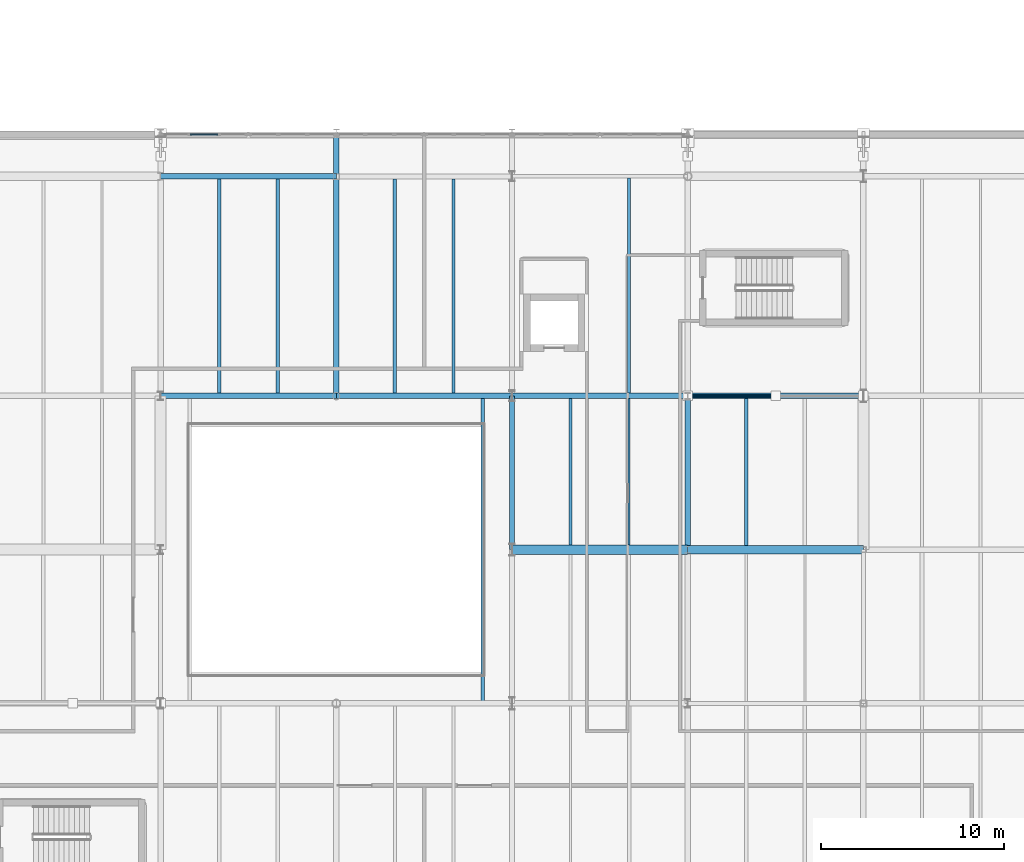
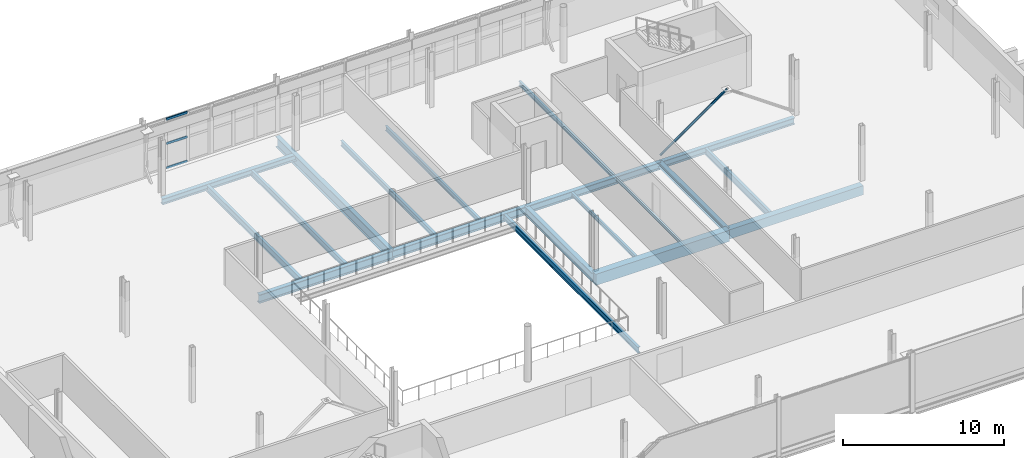
# One storey, part 30 of 90: 19 beams, 4 members, 1 element without a shape of its own.
"""IFC4 building model written with IfcOpenShell, lengths in metres."""

from ifc_helpers import new_model, si_unit, direction, frame, origin, origin_2d, place, context, subcontext, project, spatial, rectangle, hollow_circle, i_section, extrude, material, layer, layer_set, material_profile, profile_set, type_object, element, aggregate, save


model = new_model("IFC4")

# Units and contexts
model_context = context("Model", 3, precision=1e-05, world=origin(), true_north=direction((0.0, 1.0)))
body_context = subcontext(model_context, "Body", "Model", "MODEL_VIEW")
ifc_project = project(units=[si_unit("LENGTHUNIT", "METRE"), si_unit("AREAUNIT", "SQUARE_METRE"), si_unit("VOLUMEUNIT", "CUBIC_METRE"), si_unit("PLANEANGLEUNIT", "RADIAN"), si_unit("MASSUNIT", "GRAM", prefix="KILO")], contexts=[model_context])

# Site, building, storey
site_placement = place(None, origin())
site = spatial("IfcSite", under=ifc_project, at=site_placement, CompositionType="ELEMENT")
building_placement = place(site_placement, origin())
building = spatial("IfcBuilding", under=site, at=building_placement, Name="Zereglee Splitstone Museum", CompositionType="ELEMENT")
storey_placement = place(building_placement, frame((0.0, 0.0, 4.800048828125)))
storey = spatial("IfcBuildingStorey", under=building, at=storey_placement, Name="L01", CompositionType="ELEMENT", Elevation=4.800048828125)

# Beams
ifc_material_1 = material(Name="Concrete C40/50", Category="concrete")
ifc_material_profile_1 = material_profile(ifc_material_1, rectangle(XDim=0.449951171875, YDim=0.699951171875, at=origin_2d()), Name="RC 450x700")
ifc_profile_set_1 = profile_set([ifc_material_profile_1], Name="Concrete C40/50")
beam_type_1 = type_object("IfcBeamType", Name="BG-03", PredefinedType="BEAM", material=ifc_profile_set_1)
beam_1_placement = place(storey_placement, frame((126.0, 30.0, -0.650146484375), z_axis=(1.0, 0.0, 0.0), x_axis=(0.0, 1.0, 0.0)))
element("IfcBeam", 1, at=beam_1_placement, inside=storey, type_object=beam_type_1, Name="Primary Girder L01 D (126.0-135.6)", PredefinedType="BEAM", context=body_context, shape_type="SweptSolid", body=[
    extrude(rectangle(XDim=0.449951171875, YDim=0.699951171875, at=origin_2d()), origin(), (0.0, 0.0, 1.0), 9.60009765625),
])
ifc_material_profile_2 = material_profile(ifc_material_1, rectangle(XDim=0.5, YDim=0.85009765625, at=origin_2d()), Name="RC 500x850")
ifc_profile_set_2 = profile_set([ifc_material_profile_2], Name="Concrete C40/50")
beam_type_2 = type_object("IfcBeamType", Name="BG-02", PredefinedType="BEAM", material=ifc_profile_set_2)
beam_2_placement = place(storey_placement, frame((116.39990234375, 30.0, -0.72509765625), z_axis=(1.0, 0.0, 0.0), x_axis=(0.0, 1.0, 0.0)))
element("IfcBeam", 2, at=beam_2_placement, inside=storey, type_object=beam_type_2, Name="Primary Girder L01 D (116.4-126.0)", PredefinedType="BEAM", context=body_context, shape_type="SweptSolid", body=[
    extrude(rectangle(XDim=0.5, YDim=0.85009765625, at=origin_2d()), origin(), (0.0, 0.0, 1.0), 9.60009765625),
])

# Member
ifc_material_2 = material(Name="Steel S355J2H", Category="steel")
ifc_material_profile_3 = material_profile(ifc_material_2, hollow_circle(Radius=0.084228515625, WallThickness=0.008056640625, at=origin_2d()), Name="CHS 168.3x8")
ifc_profile_set_3 = profile_set([ifc_material_profile_3], Name="Steel S355J2H")
member_type_1 = type_object("IfcMemberType", Name="TB-05", PredefinedType="BRACE", material=ifc_profile_set_3)
member_1_placement = place(storey_placement, frame((126.0, 38.39990234375, 0.119873046875), z_axis=(0.819226047866, 0.0, 0.573470733776), x_axis=(0.0, 1.0, 0.0)))
element("IfcMember", 3, at=member_1_placement, inside=storey, type_object=member_type_1, Name="Lateral Braced Frame Chevron L01-011A", PredefinedType="BRACE", context=body_context, shape_type="SweptSolid", body=[
    extrude(hollow_circle(Radius=0.084228515625, WallThickness=0.008056640625, at=origin_2d()), origin(), (0.0, 0.0, 1.0), 5.859130859375),
])

# Curtain wall, members
ifc_material_3 = material(Name="Triple-glazed low-E argon glass and bronze-anodised aluminium", Category="aluminium")
ifc_layer = layer(ifc_material_3, 0.219970703125)
ifc_layer_set = layer_set([ifc_layer], Name="Triple-glazed low-E argon glass and bronze-anodised aluminium")
curtain_wall_type = type_object("IfcCurtainWallType", Name="CW-0476-376", PredefinedType="USERDEFINED", material=ifc_layer_set)
curtain_wall_placement = place(storey_placement, origin())
curtain_wall = element("IfcCurtainWall", 4, at=curtain_wall_placement, inside=storey, type_object=curtain_wall_type, Name="Glazed Curtain Wall CW-0476-376 (L01)", ObjectType="GLAZED CURTAIN WALL", PredefinedType="USERDEFINED")
ifc_material_4 = material(Name="Thermally broken bronze-anodised aluminium", Category="aluminium")
ifc_material_profile_4 = material_profile(ifc_material_4, rectangle(XDim=0.074951171875, YDim=0.1650390625, at=origin_2d()), Name="CW TRAN 75x165")
ifc_profile_set_4 = profile_set([ifc_material_profile_4], Name="Thermally broken bronze-anodised aluminium")
member_type_2 = type_object("IfcMemberType", Name="CWT-02", PredefinedType="USERDEFINED", material=ifc_profile_set_4)
member_2_placement = place(storey_placement, frame((100.3359375, 52.679931640625, 0.037353515625), z_axis=(-1.0, 0.0, 0.0), x_axis=(0.0, -1.0, 0.0)))
member_2 = element("IfcMember", 5, at=member_2_placement, type_object=member_type_2, Name="CW-0476-376 transom 2.1", ObjectType="TRANSOM", PredefinedType="USERDEFINED", context=body_context, shape_type="SweptSolid", body=[
    extrude(rectangle(XDim=0.074951171875, YDim=0.1650390625, at=origin_2d()), origin(), (0.0, 0.0, 1.0), 1.51171875),
])
member_3_placement = place(storey_placement, frame((100.3359375, 52.679931640625, 1.8798828125), z_axis=(-1.0, 0.0, 0.0), x_axis=(0.0, -1.0, 0.0)))
member_3 = element("IfcMember", 6, at=member_3_placement, type_object=member_type_2, Name="CW-0476-376 transom 2.2", ObjectType="TRANSOM", PredefinedType="USERDEFINED", context=body_context, shape_type="SweptSolid", body=[
    extrude(rectangle(XDim=0.074951171875, YDim=0.1650390625, at=origin_2d()), origin(), (0.0, 0.0, 1.0), 1.51171875),
])
member_4_placement = place(storey_placement, frame((100.3359375, 52.679931640625, 3.722412109375), z_axis=(-1.0, 0.0, 0.0), x_axis=(0.0, -1.0, 0.0)))
member_4 = element("IfcMember", 7, at=member_4_placement, type_object=member_type_2, Name="CW-0476-376 transom 2.3", ObjectType="TRANSOM", PredefinedType="USERDEFINED", context=body_context, shape_type="SweptSolid", body=[
    extrude(rectangle(XDim=0.074951171875, YDim=0.1650390625, at=origin_2d()), origin(), (0.0, 0.0, 1.0), 1.51171875),
])
aggregate(curtain_wall, [member_2, member_3, member_4])

# Beams
ifc_material_5 = material(Name="Steel S355J2", Category="steel")
ifc_material_profile_5 = material_profile(ifc_material_5, i_section(OverallWidth=0.300048828125, OverallDepth=0.39990234375, WebThickness=0.013427734375, FlangeThickness=0.02392578125, FilletRadius=0.027099609375, at=origin_2d()), Name="HE 400 B")
ifc_profile_set_5 = profile_set([ifc_material_profile_5], Name="Steel S355J2")
beam_type_3 = type_object("IfcBeamType", Name="BG-13", PredefinedType="BEAM", material=ifc_profile_set_5)
beam_3_placement = place(storey_placement, frame((126.0, 30.0, -0.5), z_axis=(0.0, 1.0, 0.0), x_axis=(-1.0, 0.0, 0.0)))
element("IfcBeam", 8, at=beam_3_placement, inside=storey, type_object=beam_type_3, Name="Primary Girder L01 15 (30.0-38.4)", PredefinedType="BEAM", context=body_context, shape_type="SweptSolid", body=[
    extrude(i_section(OverallWidth=0.300048828125, OverallDepth=0.39990234375, WebThickness=0.013427734375, FlangeThickness=0.02392578125, FilletRadius=0.027099609375, at=origin_2d()), origin(), (0.0, 0.0, 1.0), 8.39990234375),
])
ifc_material_profile_6 = material_profile(ifc_material_5, i_section(OverallWidth=0.300048828125, OverallDepth=0.5, WebThickness=0.014404296875, FlangeThickness=0.028076171875, FilletRadius=0.027099609375, at=origin_2d()), Name="HE 500 B")
ifc_profile_set_6 = profile_set([ifc_material_profile_6], Name="Steel S355J2")
beam_type_4 = type_object("IfcBeamType", Name="BG-12", PredefinedType="BEAM", material=ifc_profile_set_6)
beam_4_placement = place(storey_placement, frame((126.0, 38.39990234375, -0.550048828125), z_axis=(1.0, 0.0, 0.0), x_axis=(0.0, 1.0, 0.0)))
element("IfcBeam", 9, at=beam_4_placement, inside=storey, type_object=beam_type_4, Name="Primary Girder L01 E (126.0-135.6)", PredefinedType="BEAM", context=body_context, shape_type="SweptSolid", body=[
    extrude(i_section(OverallWidth=0.300048828125, OverallDepth=0.5, WebThickness=0.014404296875, FlangeThickness=0.028076171875, FilletRadius=0.027099609375, at=origin_2d()), origin(), (0.0, 0.0, 1.0), 9.60009765625),
])
ifc_material_profile_7 = material_profile(ifc_material_5, i_section(OverallWidth=0.300048828125, OverallDepth=0.550048828125, WebThickness=0.014892578125, FlangeThickness=0.029052734375, FilletRadius=0.027099609375, at=origin_2d()), Name="HE 550 B")
ifc_profile_set_7 = profile_set([ifc_material_profile_7], Name="Steel S355J2")
beam_type_5 = type_object("IfcBeamType", Name="BG-11", PredefinedType="BEAM", material=ifc_profile_set_7)
beam_5_placement = place(storey_placement, frame((116.39990234375, 38.39990234375, -0.574951171875), z_axis=(1.0, 0.0, 0.0), x_axis=(0.0, 1.0, 0.0)))
element("IfcBeam", 10, at=beam_5_placement, inside=storey, type_object=beam_type_5, Name="Primary Girder L01 E (116.4-126.0)", PredefinedType="BEAM", context=body_context, shape_type="SweptSolid", body=[
    extrude(i_section(OverallWidth=0.300048828125, OverallDepth=0.550048828125, WebThickness=0.014892578125, FlangeThickness=0.029052734375, FilletRadius=0.027099609375, at=origin_2d()), origin(), (0.0, 0.0, 1.0), 9.60009765625),
])
ifc_material_profile_8 = material_profile(ifc_material_5, i_section(OverallWidth=0.300048828125, OverallDepth=0.60009765625, WebThickness=0.015380859375, FlangeThickness=0.030029296875, FilletRadius=0.027099609375, at=origin_2d()), Name="HE 600 B")
ifc_profile_set_8 = profile_set([ifc_material_profile_8], Name="Steel S355J2")
beam_type_6 = type_object("IfcBeamType", Name="BG-10", PredefinedType="BEAM", material=ifc_profile_set_8)
beam_6_placement = place(storey_placement, frame((106.800048828125, 38.39990234375, -0.60009765625), z_axis=(1.0, 0.0, 0.0), x_axis=(0.0, 1.0, 0.0)))
element("IfcBeam", 11, at=beam_6_placement, inside=storey, type_object=beam_type_6, Name="Primary Girder L01 E (106.8-116.4)", PredefinedType="BEAM", context=body_context, shape_type="SweptSolid", body=[
    extrude(i_section(OverallWidth=0.300048828125, OverallDepth=0.60009765625, WebThickness=0.015380859375, FlangeThickness=0.030029296875, FilletRadius=0.027099609375, at=origin_2d()), origin(), (0.0, 0.0, 1.0), 9.599853515625),
])
ifc_material_profile_9 = material_profile(ifc_material_5, i_section(OverallWidth=0.300048828125, OverallDepth=0.64990234375, WebThickness=0.01611328125, FlangeThickness=0.031005859375, FilletRadius=0.027099609375, at=origin_2d()), Name="HE 650 B")
ifc_profile_set_9 = profile_set([ifc_material_profile_9], Name="Steel S355J2")
beam_type_7 = type_object("IfcBeamType", Name="BG-09", PredefinedType="BEAM", material=ifc_profile_set_9)
beam_7_placement = place(storey_placement, frame((97.199951171875, 38.39990234375, -0.625), z_axis=(1.0, 0.0, 0.0), x_axis=(0.0, 1.0, 0.0)))
element("IfcBeam", 12, at=beam_7_placement, inside=storey, type_object=beam_type_7, Name="Primary Girder L01 E (97.2-106.8)", PredefinedType="BEAM", context=body_context, shape_type="SweptSolid", body=[
    extrude(i_section(OverallWidth=0.300048828125, OverallDepth=0.64990234375, WebThickness=0.01611328125, FlangeThickness=0.031005859375, FilletRadius=0.027099609375, at=origin_2d()), origin(), (0.0, 0.0, 1.0), 9.60009765625),
])
beam_8_placement = place(storey_placement, frame((116.39990234375, 30.0, -0.625), z_axis=(0.0, 1.0, 0.0), x_axis=(-1.0, 0.0, 0.0)))
element("IfcBeam", 13, at=beam_8_placement, inside=storey, type_object=beam_type_7, Name="Primary Girder L01 14 (30.0-38.4)", PredefinedType="BEAM", context=body_context, shape_type="SweptSolid", body=[
    extrude(i_section(OverallWidth=0.300048828125, OverallDepth=0.64990234375, WebThickness=0.01611328125, FlangeThickness=0.031005859375, FilletRadius=0.027099609375, at=origin_2d()), origin(), (0.0, 0.0, 1.0), 8.39990234375),
])
ifc_material_profile_10 = material_profile(ifc_material_5, i_section(OverallWidth=0.300048828125, OverallDepth=0.800048828125, WebThickness=0.017578125, FlangeThickness=0.032958984375, FilletRadius=0.030029296875, at=origin_2d()), Name="HE 800 B")
ifc_profile_set_10 = profile_set([ifc_material_profile_10], Name="Steel S355J2")
beam_type_8 = type_object("IfcBeamType", Name="BG-07", PredefinedType="BEAM", material=ifc_profile_set_10)
beam_9_placement = place(storey_placement, frame((106.800048828125, 38.39990234375, -0.699951171875), z_axis=(0.0, 1.0, 0.0), x_axis=(-1.0, 0.0, 0.0)))
element("IfcBeam", 14, at=beam_9_placement, inside=storey, type_object=beam_type_8, Name="Primary Girder L01 13 (38.4-52.6)", PredefinedType="BEAM", context=body_context, shape_type="SweptSolid", body=[
    extrude(i_section(OverallWidth=0.300048828125, OverallDepth=0.800048828125, WebThickness=0.017578125, FlangeThickness=0.032958984375, FilletRadius=0.030029296875, at=origin_2d()), origin(), (0.0, 0.0, 1.0), 14.25),
])
ifc_material_profile_11 = material_profile(ifc_material_5, i_section(OverallWidth=0.1201171875, OverallDepth=0.239990234375, WebThickness=0.006103515625, FlangeThickness=0.009765625, FilletRadius=0.014892578125, at=origin_2d()), Name="IPE 240")
ifc_profile_set_11 = profile_set([ifc_material_profile_11], Name="Steel S355J2")
beam_type_9 = type_object("IfcBeamType", Name="BJ-07", PredefinedType="JOIST", material=ifc_profile_set_11)
beam_10_placement = place(storey_placement, frame((122.800048828125, 30.25, -0.420166015625), z_axis=(0.0, 1.0, 0.0), x_axis=(-1.0, 0.0, 0.0)))
element("IfcBeam", 15, at=beam_10_placement, inside=storey, type_object=beam_type_9, Name="Secondary Floor Joist L01-0769", PredefinedType="JOIST", context=body_context, shape_type="SweptSolid", body=[
    extrude(i_section(OverallWidth=0.1201171875, OverallDepth=0.239990234375, WebThickness=0.006103515625, FlangeThickness=0.009765625, FilletRadius=0.014892578125, at=origin_2d()), origin(), (0.0, 0.0, 1.0), 8.0),
])
ifc_material_profile_12 = material_profile(ifc_material_5, i_section(OverallWidth=0.14990234375, OverallDepth=0.300048828125, WebThickness=0.007080078125, FlangeThickness=0.0107421875, FilletRadius=0.014892578125, at=origin_2d()), Name="IPE 300")
ifc_profile_set_12 = profile_set([ifc_material_profile_12], Name="Steel S355J2")
beam_type_10 = type_object("IfcBeamType", Name="BJ-06", PredefinedType="JOIST", material=ifc_profile_set_12)
beam_11_placement = place(storey_placement, frame((119.60009765625, 30.25, -0.449951171875), z_axis=(0.0, 1.0, 0.0), x_axis=(-1.0, 0.0, 0.0)))
element("IfcBeam", 16, at=beam_11_placement, inside=storey, type_object=beam_type_10, Name="Secondary Floor Joist L01-0768", PredefinedType="JOIST", context=body_context, shape_type="SweptSolid", body=[
    extrude(i_section(OverallWidth=0.14990234375, OverallDepth=0.300048828125, WebThickness=0.007080078125, FlangeThickness=0.0107421875, FilletRadius=0.014892578125, at=origin_2d()), origin(), (0.0, 0.0, 1.0), 8.0),
])
ifc_material_profile_13 = material_profile(ifc_material_5, i_section(OverallWidth=0.159912109375, OverallDepth=0.330078125, WebThickness=0.007568359375, FlangeThickness=0.011474609375, FilletRadius=0.01806640625, at=origin_2d()), Name="IPE 330")
ifc_profile_set_13 = profile_set([ifc_material_profile_13], Name="Steel S355J2")
beam_type_11 = type_object("IfcBeamType", Name="BJ-05", PredefinedType="JOIST", material=ifc_profile_set_13)
beam_12_placement = place(storey_placement, frame((122.800048828125, 38.550048828125, -0.465087890625), z_axis=(0.0, 1.0, 0.0), x_axis=(-1.0, 0.0, 0.0)))
element("IfcBeam", 17, at=beam_12_placement, inside=storey, type_object=beam_type_11, Name="Secondary Floor Joist L01-0802", PredefinedType="JOIST", context=body_context, shape_type="SweptSolid", body=[
    extrude(i_section(OverallWidth=0.159912109375, OverallDepth=0.330078125, WebThickness=0.007568359375, FlangeThickness=0.011474609375, FilletRadius=0.01806640625, at=origin_2d()), origin(), (0.0, 0.0, 1.0), 11.75),
])
ifc_material_profile_14 = material_profile(ifc_material_5, i_section(OverallWidth=0.169921875, OverallDepth=0.360107421875, WebThickness=0.008056640625, FlangeThickness=0.0126953125, FilletRadius=0.01806640625, at=origin_2d()), Name="IPE 360")
ifc_profile_set_14 = profile_set([ifc_material_profile_14], Name="Steel S355J2")
beam_type_12 = type_object("IfcBeamType", Name="BJ-04", PredefinedType="JOIST", material=ifc_profile_set_14)
beam_13_placement = place(storey_placement, frame((113.199951171875, 38.550048828125, -0.47998046875), z_axis=(0.0, 1.0, 0.0), x_axis=(-1.0, 0.0, 0.0)))
element("IfcBeam", 18, at=beam_13_placement, inside=storey, type_object=beam_type_12, Name="Secondary Floor Joist L01-0801", PredefinedType="JOIST", context=body_context, shape_type="SweptSolid", body=[
    extrude(i_section(OverallWidth=0.169921875, OverallDepth=0.360107421875, WebThickness=0.008056640625, FlangeThickness=0.0126953125, FilletRadius=0.01806640625, at=origin_2d()), origin(), (0.0, 0.0, 1.0), 11.7099609375),
])
ifc_material_profile_15 = material_profile(ifc_material_5, i_section(OverallWidth=0.179931640625, OverallDepth=0.39990234375, WebThickness=0.008544921875, FlangeThickness=0.013427734375, FilletRadius=0.02099609375, at=origin_2d()), Name="IPE 400")
ifc_profile_set_15 = profile_set([ifc_material_profile_15], Name="Steel S355J2")
beam_type_13 = type_object("IfcBeamType", Name="BJ-03", PredefinedType="JOIST", material=ifc_profile_set_15)
beam_14_placement = place(storey_placement, frame((110.0, 38.550048828125, -0.5), z_axis=(0.0, 1.0, 0.0), x_axis=(-1.0, 0.0, 0.0)))
element("IfcBeam", 19, at=beam_14_placement, inside=storey, type_object=beam_type_13, Name="Secondary Floor Joist L01-0800", PredefinedType="JOIST", context=body_context, shape_type="SweptSolid", body=[
    extrude(i_section(OverallWidth=0.179931640625, OverallDepth=0.39990234375, WebThickness=0.008544921875, FlangeThickness=0.013427734375, FilletRadius=0.02099609375, at=origin_2d()), origin(), (0.0, 0.0, 1.0), 11.7099609375),
])
ifc_material_profile_16 = material_profile(ifc_material_5, i_section(OverallWidth=0.18994140625, OverallDepth=0.449951171875, WebThickness=0.009521484375, FlangeThickness=0.0146484375, FilletRadius=0.02099609375, at=origin_2d()), Name="IPE 450")
ifc_profile_set_16 = profile_set([ifc_material_profile_16], Name="Steel S355J2")
beam_type_14 = type_object("IfcBeamType", Name="BJ-02", PredefinedType="JOIST", material=ifc_profile_set_16)
beam_15_placement = place(storey_placement, frame((103.60009765625, 38.550048828125, -0.525146484375), z_axis=(0.0, 1.0, 0.0), x_axis=(-1.0, 0.0, 0.0)))
element("IfcBeam", 20, at=beam_15_placement, inside=storey, type_object=beam_type_14, Name="Secondary Floor Joist L01-0799", PredefinedType="JOIST", context=body_context, shape_type="SweptSolid", body=[
    extrude(i_section(OverallWidth=0.18994140625, OverallDepth=0.449951171875, WebThickness=0.009521484375, FlangeThickness=0.0146484375, FilletRadius=0.02099609375, at=origin_2d()), origin(), (0.0, 0.0, 1.0), 11.699951171875),
])
beam_16_placement = place(storey_placement, frame((114.800048828125, 21.60009765625, -0.525146484375), z_axis=(0.0, 1.0, 0.0), x_axis=(-1.0, 0.0, 0.0)))
element("IfcBeam", 21, at=beam_16_placement, inside=storey, type_object=beam_type_14, Name="Atrium Edge Beam L01 E", PredefinedType="JOIST", context=body_context, shape_type="SweptSolid", body=[
    extrude(i_section(OverallWidth=0.18994140625, OverallDepth=0.449951171875, WebThickness=0.009521484375, FlangeThickness=0.0146484375, FilletRadius=0.02099609375, at=origin_2d()), origin(), (0.0, 0.0, 1.0), 16.7998046875),
])
ifc_material_profile_17 = material_profile(ifc_material_5, i_section(OverallWidth=0.199951171875, OverallDepth=0.5, WebThickness=0.01025390625, FlangeThickness=0.01611328125, FilletRadius=0.02099609375, at=origin_2d()), Name="IPE 500")
ifc_profile_set_17 = profile_set([ifc_material_profile_17], Name="Steel S355J2")
beam_type_15 = type_object("IfcBeamType", Name="BJ-01", PredefinedType="JOIST", material=ifc_profile_set_17)
beam_17_placement = place(storey_placement, frame((129.199951171875, 30.22509765625, -0.550048828125), z_axis=(0.0, 1.0, 0.0), x_axis=(-1.0, 0.0, 0.0)))
element("IfcBeam", 22, at=beam_17_placement, inside=storey, type_object=beam_type_15, Name="Secondary Floor Joist L01-0770", PredefinedType="JOIST", context=body_context, shape_type="SweptSolid", body=[
    extrude(i_section(OverallWidth=0.199951171875, OverallDepth=0.5, WebThickness=0.01025390625, FlangeThickness=0.01611328125, FilletRadius=0.02099609375, at=origin_2d()), origin(), (0.0, 0.0, 1.0), 8.02490234375),
])
beam_18_placement = place(storey_placement, frame((100.39990234375, 38.550048828125, -0.550048828125), z_axis=(0.0, 1.0, 0.0), x_axis=(-1.0, 0.0, 0.0)))
element("IfcBeam", 23, at=beam_18_placement, inside=storey, type_object=beam_type_15, Name="Secondary Floor Joist L01-0798", PredefinedType="JOIST", context=body_context, shape_type="SweptSolid", body=[
    extrude(i_section(OverallWidth=0.199951171875, OverallDepth=0.5, WebThickness=0.01025390625, FlangeThickness=0.01611328125, FilletRadius=0.02099609375, at=origin_2d()), origin(), (0.0, 0.0, 1.0), 11.699951171875),
])
ifc_material_profile_18 = material_profile(ifc_material_5, i_section(OverallWidth=0.300048828125, OverallDepth=0.449951171875, WebThickness=0.013916015625, FlangeThickness=0.02587890625, FilletRadius=0.027099609375, at=origin_2d()), Name="HE 450 B")
ifc_profile_set_18 = profile_set([ifc_material_profile_18], Name="Steel S355J2")
beam_type_16 = type_object("IfcBeamType", Name="SP-02", PredefinedType="SPANDREL", material=ifc_profile_set_18)
beam_19_placement = place(storey_placement, frame((97.199951171875, 50.39990234375, -0.525146484375), z_axis=(1.0, 0.0, 0.0), x_axis=(0.0, 1.0, 0.0)))
element("IfcBeam", 24, at=beam_19_placement, inside=storey, type_object=beam_type_16, Name="Primary Girder L01 F (97.2-106.8)", PredefinedType="SPANDREL", context=body_context, shape_type="SweptSolid", body=[
    extrude(i_section(OverallWidth=0.300048828125, OverallDepth=0.449951171875, WebThickness=0.013916015625, FlangeThickness=0.02587890625, FilletRadius=0.027099609375, at=origin_2d()), origin(), (0.0, 0.0, 1.0), 9.60009765625),
])

save(model, "model.ifc")
